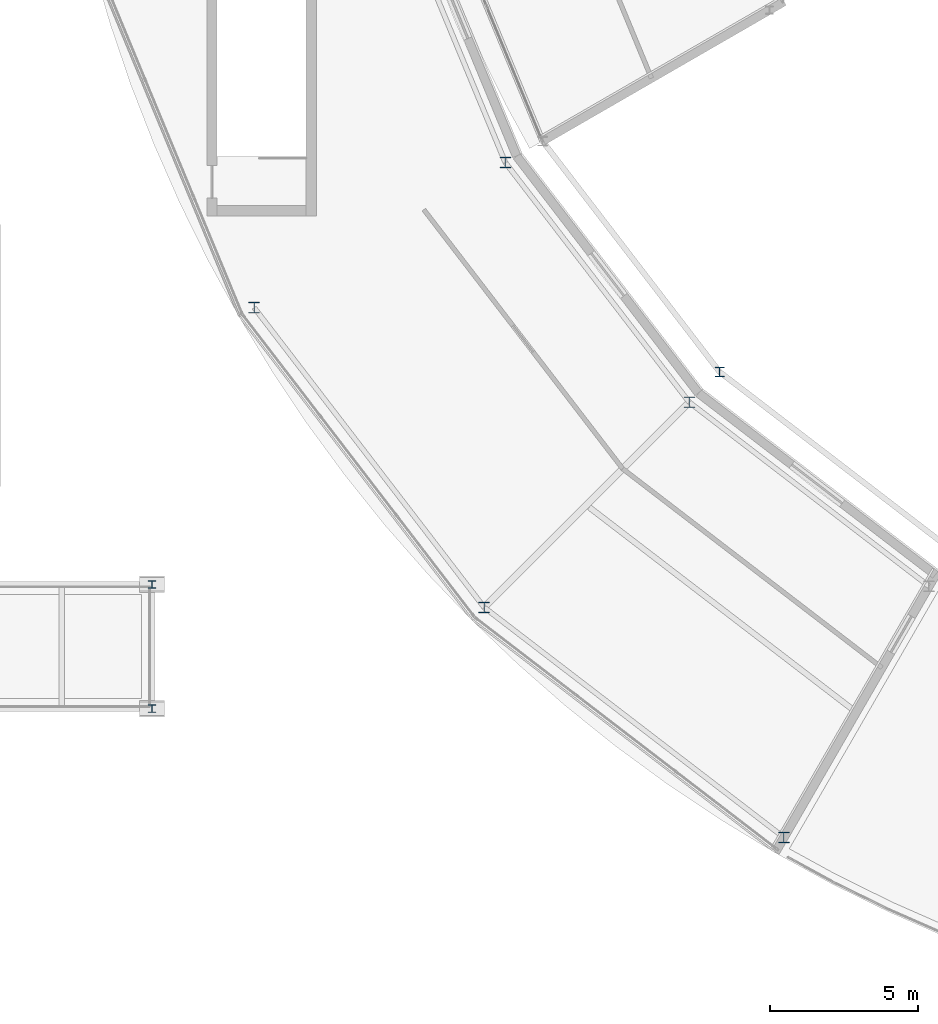
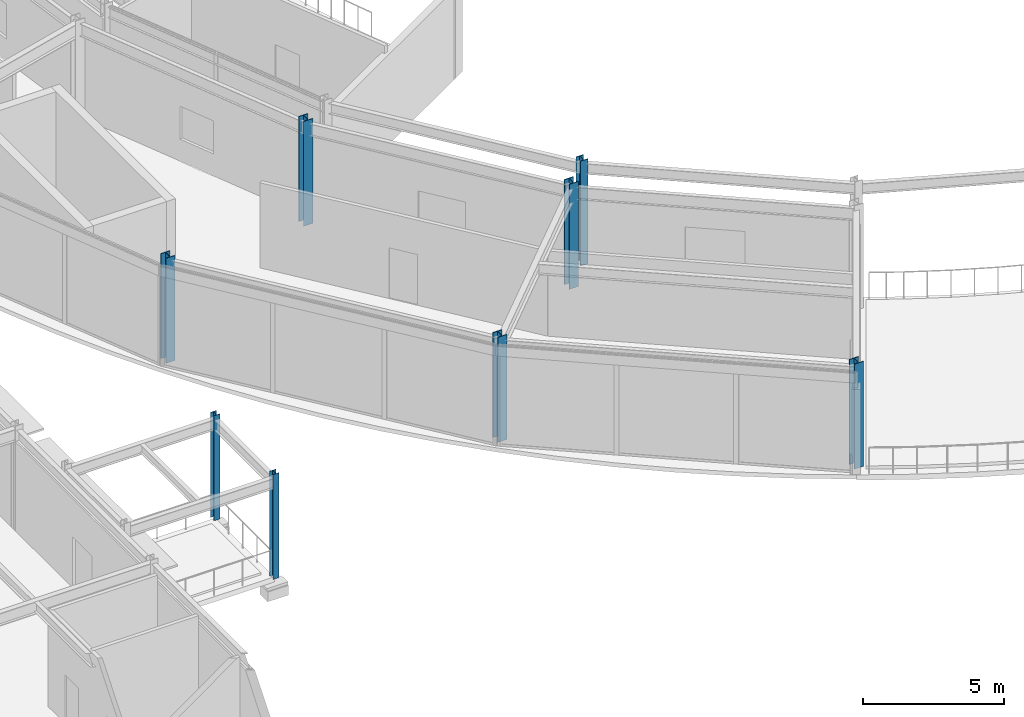
# One storey, part 3 of 157: 8 columns.
"""IFC4 building model written with IfcOpenShell, lengths in metres."""

from ifc_helpers import new_model, si_unit, direction, frame, origin, origin_2d, place, context, subcontext, project, spatial, i_section, extrude, material, material_profile, profile_set, type_object, element, save


model = new_model("IFC4")

# Units and contexts
model_context = context("Model", 3, precision=1e-05, world=origin(), true_north=direction((0.0, 1.0)))
body_context = subcontext(model_context, "Body", "Model", "MODEL_VIEW")
ifc_project = project(units=[si_unit("LENGTHUNIT", "METRE"), si_unit("AREAUNIT", "SQUARE_METRE"), si_unit("VOLUMEUNIT", "CUBIC_METRE"), si_unit("PLANEANGLEUNIT", "RADIAN"), si_unit("MASSUNIT", "GRAM", prefix="KILO")], contexts=[model_context])

# Site, building, storey
site_placement = place(None, origin())
site = spatial("IfcSite", under=ifc_project, at=site_placement, CompositionType="ELEMENT")
building_placement = place(site_placement, origin())
building = spatial("IfcBuilding", under=site, at=building_placement, Name="Almandine Court Research Institute", CompositionType="ELEMENT")
storey_placement = place(building_placement, frame((0.0, 0.0, 5.25)))
storey = spatial("IfcBuildingStorey", under=building, at=storey_placement, Name="L01", CompositionType="ELEMENT", Elevation=5.25)

# Columns
ifc_material = material(Name="Steel ASTM A992 Grade 50", Category="steel")
ifc_material_profile_1 = material_profile(ifc_material, i_section(OverallWidth=0.373046875, OverallDepth=0.367919921875, WebThickness=0.01708984375, FlangeThickness=0.027099609375, at=origin_2d()), Name="W360x179")
ifc_profile_set_1 = profile_set([ifc_material_profile_1], Name="Steel ASTM A992 Grade 50")
column_type_1 = type_object("IfcColumnType", Name="Col-C-W03-E", PredefinedType="COLUMN", material=ifc_profile_set_1)
for number, where, z_axis, x_axis, name in (
    (1, (53.137939453125, 36.449951171875, 0.0), (0.0, 0.0, 1.0), (1.0, 0.0, 0.0), "L01 V5 Column V5-IN-S14"),
    (2, (44.65087890625, 31.550048828125, 0.0), (0.0, 0.0, 1.0), (1.0, 0.0, 0.0), "L01 V5 Column V5-OUT-S14"),
    (3, (59.35205078125, 28.35205078125, 0.0), (0.0, 0.0, 1.0), (1.0, 0.0, 0.0), "L01 V5 Column V5-IN-S15"),
    (4, (52.422119140625, 21.422119140625, 0.0), (0.0, 0.0, 1.0), (1.0, 0.0, 0.0), "L01 V5 Column V5-OUT-S15"),
    (5, (62.550048828125, 13.65087890625, 0.0), (0.0, 0.0, 1.0), (1.0, 0.0, 0.0), "L01 V5 Column V5-OUT-S16"),
):
    element("IfcColumn", number, at=place(storey_placement, frame(where, z_axis=z_axis, x_axis=x_axis)), inside=storey, type_object=column_type_1, Name=name, PredefinedType="COLUMN", context=body_context, shape_type="SweptSolid", body=[
        extrude(i_section(OverallWidth=0.373046875, OverallDepth=0.367919921875, WebThickness=0.01708984375, FlangeThickness=0.027099609375, at=origin_2d()), origin(), (0.0, 0.0, 1.0), 4.550048828125),
    ])
ifc_material_profile_2 = material_profile(ifc_material, i_section(OverallWidth=0.31005859375, OverallDepth=0.326904296875, WebThickness=0.01611328125, FlangeThickness=0.02490234375, at=origin_2d()), Name="W310x158")
ifc_profile_set_2 = profile_set([ifc_material_profile_2], Name="Steel ASTM A992 Grade 50")
column_type_2 = type_object("IfcColumnType", Name="Col-C-W06", PredefinedType="COLUMN", material=ifc_profile_set_2)
column_placement = place(storey_placement, frame((60.376953125, 29.376953125, 0.0), z_axis=(0.0, 0.0, 1.0), x_axis=(1.0, 0.0, 0.0)))
element("IfcColumn", 6, at=column_placement, inside=storey, type_object=column_type_2, Name="L01 V2 Column V2-OUT-S15", PredefinedType="COLUMN", context=body_context, shape_type="SweptSolid", body=[
    extrude(i_section(OverallWidth=0.31005859375, OverallDepth=0.326904296875, WebThickness=0.01611328125, FlangeThickness=0.02490234375, at=origin_2d()), origin(), (0.0, 0.0, 1.0), 4.550048828125),
])
ifc_material_profile_3 = material_profile(ifc_material, i_section(OverallWidth=0.25390625, OverallDepth=0.2529296875, WebThickness=0.009033203125, FlangeThickness=0.013916015625, at=origin_2d()), Name="W250x73")
ifc_profile_set_3 = profile_set([ifc_material_profile_3], Name="Steel ASTM A992 Grade 50")
column_type_3 = type_object("IfcColumnType", Name="Col-C-W10-E", PredefinedType="COLUMN", material=ifc_profile_set_3)
for number, where, z_axis, x_axis, name in (
    (7, (41.199951171875, 18.0, 0.0), (0.0, 0.0, 1.0), (1.0, 0.0, 0.0), "L01 DAL-SW Column DAL-SW-X2Y1"),
    (8, (41.199951171875, 22.199951171875, 0.0), (0.0, 0.0, 1.0), (1.0, 0.0, 0.0), "L01 DAL-SW Column DAL-SW-X2Y2"),
):
    element("IfcColumn", number, at=place(storey_placement, frame(where, z_axis=z_axis, x_axis=x_axis)), inside=storey, type_object=column_type_3, Name=name, PredefinedType="COLUMN", context=body_context, shape_type="SweptSolid", body=[
        extrude(i_section(OverallWidth=0.25390625, OverallDepth=0.2529296875, WebThickness=0.009033203125, FlangeThickness=0.013916015625, at=origin_2d()), origin(), (0.0, 0.0, 1.0), 4.550048828125),
    ])

save(model, "model.ifc")
